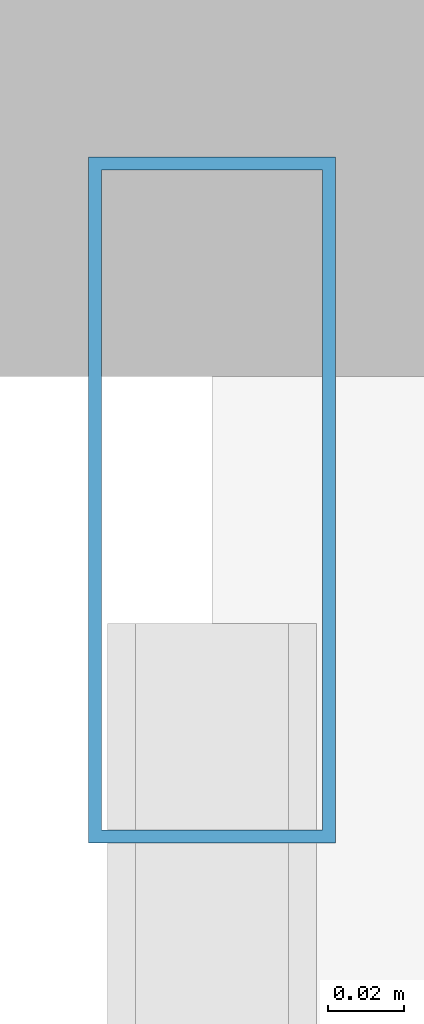
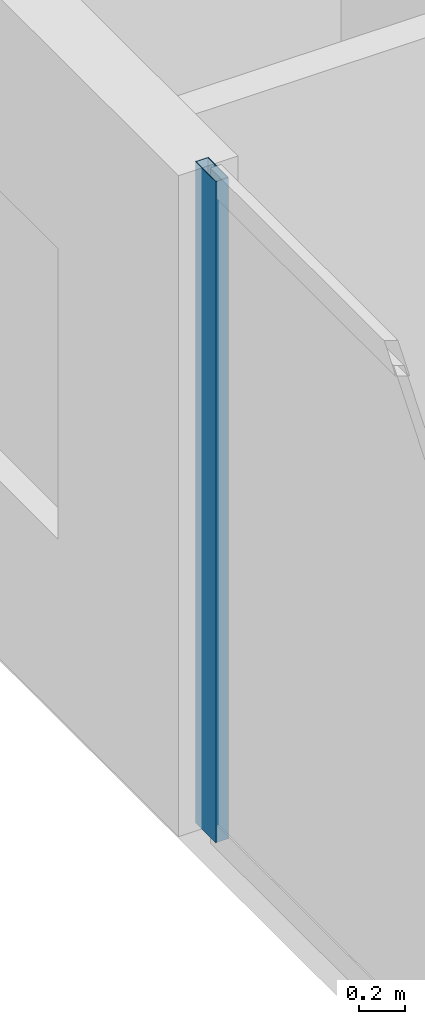
# One storey, part 15 of 32: 1 member, 1 element without a shape of its own.
"""IFC4 building model written with IfcOpenShell, lengths in metres."""

from ifc_helpers import new_model, si_unit, direction, frame, origin, origin_2d, place, context, subcontext, project, spatial, hollow_rectangle, extrude, material, layer, layer_set, material_profile, profile_set, type_object, element, aggregate, save


model = new_model("IFC4")

# Units and contexts
model_context = context("Model", 3, precision=1e-05, world=origin(), true_north=direction((0.0, 1.0)))
body_context = subcontext(model_context, "Body", "Model", "MODEL_VIEW")
ifc_project = project(units=[si_unit("LENGTHUNIT", "METRE"), si_unit("AREAUNIT", "SQUARE_METRE"), si_unit("VOLUMEUNIT", "CUBIC_METRE"), si_unit("PLANEANGLEUNIT", "RADIAN"), si_unit("MASSUNIT", "GRAM", prefix="KILO")], contexts=[model_context])

# Site, building, storey
site_placement = place(None, origin())
site = spatial("IfcSite", under=ifc_project, at=site_placement, CompositionType="ELEMENT")
building_placement = place(site_placement, origin())
building = spatial("IfcBuilding", under=site, at=building_placement, Name="Zuhayl Quay Hotel", CompositionType="ELEMENT")
storey_placement = place(building_placement, frame((0.0, 0.0, 181.14990234375)))
storey = spatial("IfcBuildingStorey", under=building, at=storey_placement, Name="L45", CompositionType="ELEMENT", Elevation=181.14990234375)

# Curtain wall, member
ifc_material_1 = material(Name="Anodised Aluminium 6063-T6", Category="aluminium")
ifc_layer = layer(ifc_material_1, 0.175048828125, Name="Anodised Aluminium 6063-T6", Category="aluminium")
ifc_layer_set = layer_set([ifc_layer], Name="Anodised Aluminium 6063-T6")
curtain_wall_type = type_object("IfcCurtainWallType", Name="CW_SYS_Z3", PredefinedType="USERDEFINED", material=ifc_layer_set)
curtain_wall_placement = place(storey_placement, origin())
curtain_wall = element("IfcCurtainWall", 1, at=curtain_wall_placement, inside=storey, type_object=curtain_wall_type, Name="L45 Curtain Wall ENV_L45_E05_CW1", ObjectType="UNITISED CURTAIN WALL", PredefinedType="USERDEFINED")
ifc_material_2 = material(Name="Black-anodised aluminium 6063-T6", Category="aluminium")
ifc_material_profile = material_profile(ifc_material_2, hollow_rectangle(XDim=0.06494140625, YDim=0.179931640625, WallThickness=0.00341796875, at=origin_2d()), Name="ALU180X65")
ifc_profile_set = profile_set([ifc_material_profile], Name="Black-anodised aluminium 6063-T6")
member_type = type_object("IfcMemberType", Name="MB_CW_MUL_180", PredefinedType="MULLION", material=ifc_profile_set)
member_placement = place(storey_placement, frame((-22.10009765625, 26.367431640625, 0.0), z_axis=(0.0, 0.0, 1.0), x_axis=(-1.0, 0.0, 0.0)))
member = element("IfcMember", 2, at=member_placement, type_object=member_type, Name="CW-Z3 mullion 2", PredefinedType="MULLION", context=body_context, shape_type="SweptSolid", body=[
    extrude(hollow_rectangle(XDim=0.06494140625, YDim=0.179931640625, WallThickness=0.00341796875, at=origin_2d()), origin(), (0.0, 0.0, 1.0), 3.530029296875),
])
aggregate(curtain_wall, [member])

save(model, "model.ifc")
